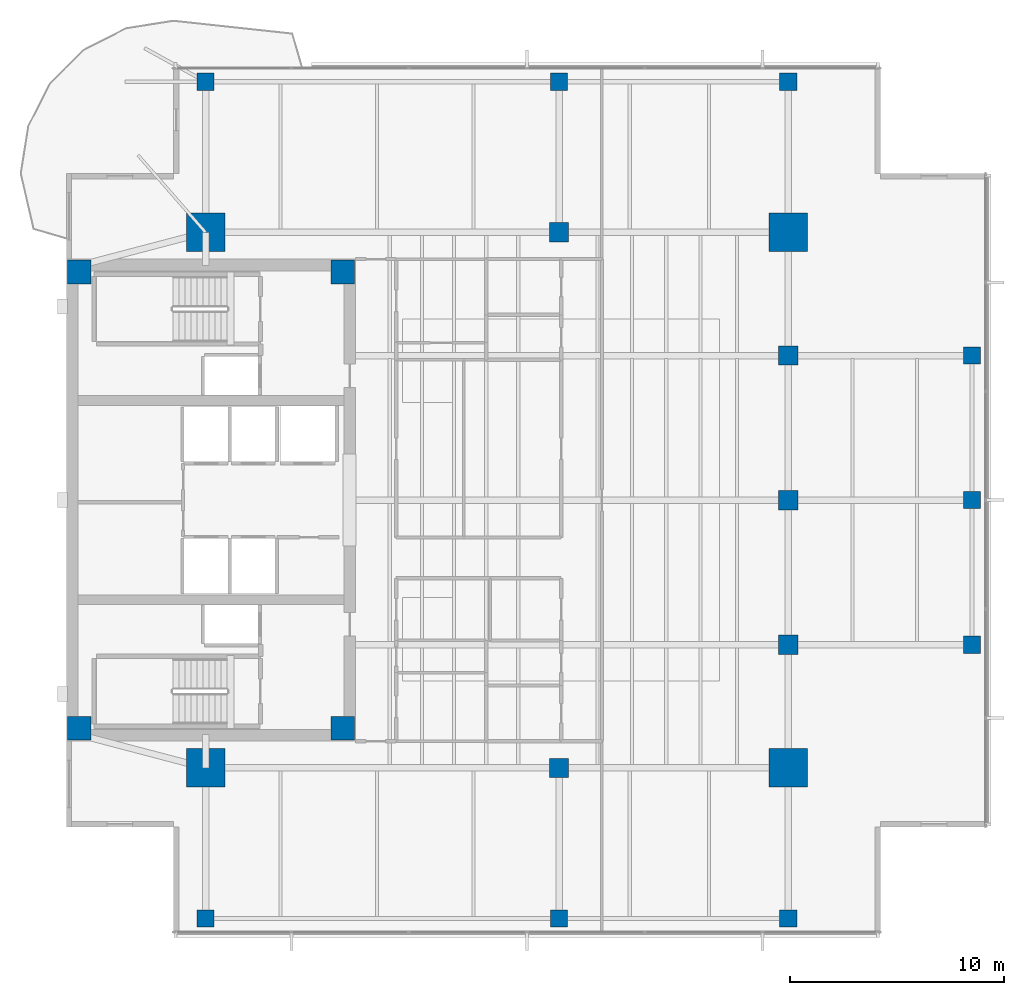
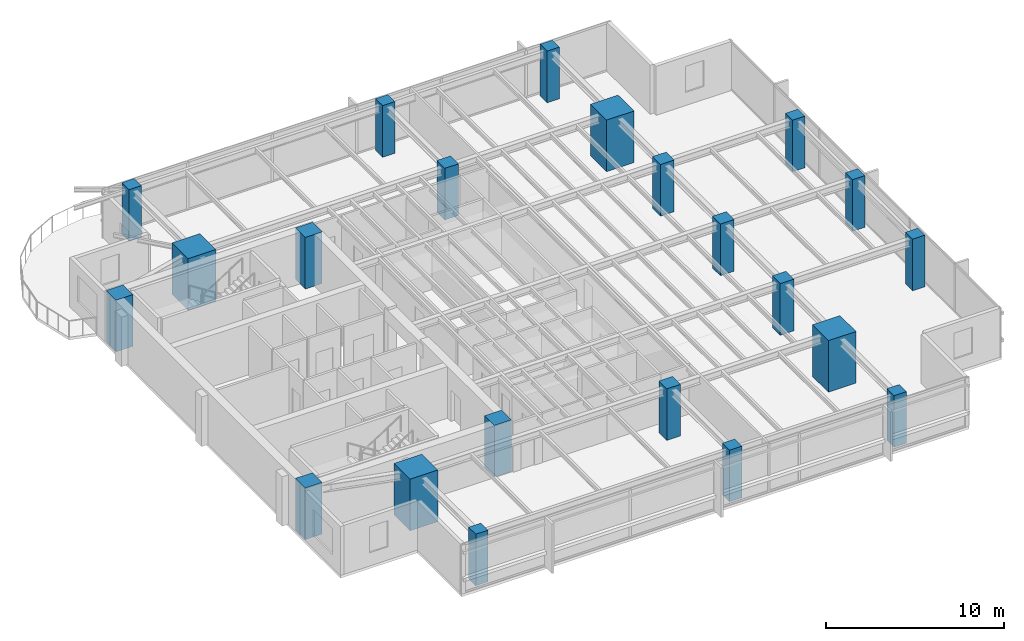
# One storey, part 1 of 14: 22 columns.
"""IFC4 building model written with IfcOpenShell, lengths in metres."""

from ifc_helpers import new_model, si_unit, direction, frame, origin, origin_2d, place, context, subcontext, project, spatial, rectangle, extrude, material, material_profile, profile_set, type_object, element, save


model = new_model("IFC4")

# Units and contexts
model_context = context("Model", 3, precision=1e-05, world=origin(), true_north=direction((0.0, 1.0)))
body_context = subcontext(model_context, "Body", "Model", "MODEL_VIEW")
ifc_project = project(units=[si_unit("LENGTHUNIT", "METRE"), si_unit("AREAUNIT", "SQUARE_METRE"), si_unit("VOLUMEUNIT", "CUBIC_METRE"), si_unit("PLANEANGLEUNIT", "RADIAN"), si_unit("MASSUNIT", "GRAM", prefix="KILO")], contexts=[model_context])

# Site, building, storey
site_placement = place(None, origin())
site = spatial("IfcSite", under=ifc_project, at=site_placement, CompositionType="ELEMENT")
building_placement = place(site_placement, origin())
building = spatial("IfcBuilding", under=site, at=building_placement, Name="Kinhvarn Gate Tower", CompositionType="ELEMENT")
storey_placement = place(building_placement, frame((0.0, 0.0, 195.14990234375)))
storey = spatial("IfcBuildingStorey", under=building, at=storey_placement, Name="L51", CompositionType="ELEMENT", Elevation=195.14990234375)

# Columns
ifc_material_1 = material(Name="Concrete C60/75", Category="concrete")
ifc_material_profile_1 = material_profile(ifc_material_1, rectangle(XDim=1.800048828125, YDim=1.800048828125, at=origin_2d()), Name="RC 1800x1800")
ifc_profile_set_1 = profile_set([ifc_material_profile_1], Name="Concrete C60/75")
column_type_1 = type_object("IfcColumnType", Name="COL-MC-1800", PredefinedType="COLUMN", material=ifc_profile_set_1)
for number, where, z_axis, x_axis, name in (
    (1, (11.0, 12.75, 0.0), (0.0, 0.0, 1.0), (1.0, 0.0, 0.0), "Column MC1-L51 (MC-18)"),
    (2, (11.0, 37.75, 0.0), (0.0, 0.0, 1.0), (1.0, 0.0, 0.0), "Column MC4-L51 (MC-18)"),
    (3, (38.199951171875, 12.75, 0.0), (0.0, 0.0, 1.0), (1.0, 0.0, 0.0), "Column MC2-L51 (MC-18)"),
    (4, (38.199951171875, 37.75, 0.0), (0.0, 0.0, 1.0), (1.0, 0.0, 0.0), "Column MC3-L51 (MC-18)"),
):
    element("IfcColumn", number, at=place(storey_placement, frame(where, z_axis=z_axis, x_axis=x_axis)), inside=storey, type_object=column_type_1, Name=name, PredefinedType="COLUMN", context=body_context, shape_type="SweptSolid", body=[
        extrude(rectangle(XDim=1.800048828125, YDim=1.800048828125, at=origin_2d()), origin(), (0.0, 0.0, 1.0), 3.550048828125),
    ])
ifc_material_2 = material(Name="Concrete C50/60", Category="concrete")
ifc_material_profile_2 = material_profile(ifc_material_2, rectangle(XDim=0.800048828125, YDim=0.800048828125, at=origin_2d()), Name="RC 800x800")
ifc_profile_set_2 = profile_set([ifc_material_profile_2], Name="Concrete C50/60")
column_type_2 = type_object("IfcColumnType", Name="COL-RC-800", PredefinedType="COLUMN", material=ifc_profile_set_2)
for number, where, z_axis, x_axis, name in (
    (5, (46.780029296875, 18.5, 0.0), (0.0, 0.0, 1.0), (1.0, 0.0, 0.0), "Column CE-1-L51 (C-080)"),
    (6, (46.780029296875, 25.25, 0.0), (0.0, 0.0, 1.0), (1.0, 0.0, 0.0), "Column CE-2-L51 (C-080)"),
    (7, (46.780029296875, 32.0, 0.0), (0.0, 0.0, 1.0), (1.0, 0.0, 0.0), "Column CE-3-L51 (C-080)"),
    (8, (11.0, 5.719970703125, 0.0), (0.0, 0.0, 1.0), (1.0, 0.0, 0.0), "Column CS-0-L51 (C-080)"),
    (9, (27.5, 5.719970703125, 0.0), (0.0, 0.0, 1.0), (1.0, 0.0, 0.0), "Column CS-1-L51 (C-080)"),
    (10, (38.199951171875, 5.719970703125, 0.0), (0.0, 0.0, 1.0), (1.0, 0.0, 0.0), "Column CS-2-L51 (C-080)"),
    (11, (11.0, 44.780029296875, 0.0), (0.0, 0.0, 1.0), (1.0, 0.0, 0.0), "Column CN-0-L51 (C-080)"),
    (12, (27.5, 44.780029296875, 0.0), (0.0, 0.0, 1.0), (1.0, 0.0, 0.0), "Column CN-1-L51 (C-080)"),
    (13, (38.199951171875, 44.780029296875, 0.0), (0.0, 0.0, 1.0), (1.0, 0.0, 0.0), "Column CN-2-L51 (C-080)"),
):
    element("IfcColumn", number, at=place(storey_placement, frame(where, z_axis=z_axis, x_axis=x_axis)), inside=storey, type_object=column_type_2, Name=name, PredefinedType="COLUMN", context=body_context, shape_type="SweptSolid", body=[
        extrude(rectangle(XDim=0.800048828125, YDim=0.800048828125, at=origin_2d()), origin(), (0.0, 0.0, 1.0), 3.550048828125),
    ])
ifc_material_profile_3 = material_profile(ifc_material_1, rectangle(XDim=0.89990234375, YDim=0.89990234375, at=origin_2d()), Name="RC 900x900")
ifc_profile_set_3 = profile_set([ifc_material_profile_3], Name="Concrete C60/75")
column_type_3 = type_object("IfcColumnType", Name="COL-RC-900", PredefinedType="COLUMN", material=ifc_profile_set_3)
for number, where, z_axis, x_axis, name in (
    (14, (27.5, 12.75, 0.0), (0.0, 0.0, 1.0), (1.0, 0.0, 0.0), "Column SP27-S-L51 (C-090)"),
    (15, (27.5, 37.75, 0.0), (0.0, 0.0, 1.0), (1.0, 0.0, 0.0), "Column SP27-N-L51 (C-090)"),
    (16, (38.199951171875, 18.5, 0.0), (0.0, 0.0, 1.0), (1.0, 0.0, 0.0), "Column SP38-E1-L51 (C-090)"),
    (17, (38.199951171875, 25.25, 0.0), (0.0, 0.0, 1.0), (1.0, 0.0, 0.0), "Column SP38-E2-L51 (C-090)"),
    (18, (38.199951171875, 32.0, 0.0), (0.0, 0.0, 1.0), (1.0, 0.0, 0.0), "Column SP38-E3-L51 (C-090)"),
):
    element("IfcColumn", number, at=place(storey_placement, frame(where, z_axis=z_axis, x_axis=x_axis)), inside=storey, type_object=column_type_3, Name=name, PredefinedType="COLUMN", context=body_context, shape_type="SweptSolid", body=[
        extrude(rectangle(XDim=0.89990234375, YDim=0.89990234375, at=origin_2d()), origin(), (0.0, 0.0, 1.0), 3.550048828125),
    ])
ifc_material_profile_4 = material_profile(ifc_material_1, rectangle(XDim=1.10009765625, YDim=1.10009765625, at=origin_2d()), Name="RC 1100x1100")
ifc_profile_set_4 = profile_set([ifc_material_profile_4], Name="Concrete C60/75")
column_type_4 = type_object("IfcColumnType", Name="PIL-RC-1100", PredefinedType="PILASTER", material=ifc_profile_set_4)
for number, where, z_axis, x_axis, name in (
    (19, (5.10009765625, 14.60009765625, 0.0), (0.0, 0.0, 1.0), (1.0, 0.0, 0.0), "Column CC-SW-L51 (CP-110)"),
    (20, (5.10009765625, 35.89990234375, 0.0), (0.0, 0.0, 1.0), (1.0, 0.0, 0.0), "Column CC-NW-L51 (CP-110)"),
    (21, (17.39990234375, 14.60009765625, 0.0), (0.0, 0.0, 1.0), (1.0, 0.0, 0.0), "Column CC-SE-L51 (CP-110)"),
    (22, (17.39990234375, 35.89990234375, 0.0), (0.0, 0.0, 1.0), (1.0, 0.0, 0.0), "Column CC-NE-L51 (CP-110)"),
):
    element("IfcColumn", number, at=place(storey_placement, frame(where, z_axis=z_axis, x_axis=x_axis)), inside=storey, type_object=column_type_4, Name=name, PredefinedType="PILASTER", context=body_context, shape_type="SweptSolid", body=[
        extrude(rectangle(XDim=1.10009765625, YDim=1.10009765625, at=origin_2d()), origin(), (0.0, 0.0, 1.0), 3.550048828125),
    ])

save(model, "model.ifc")
